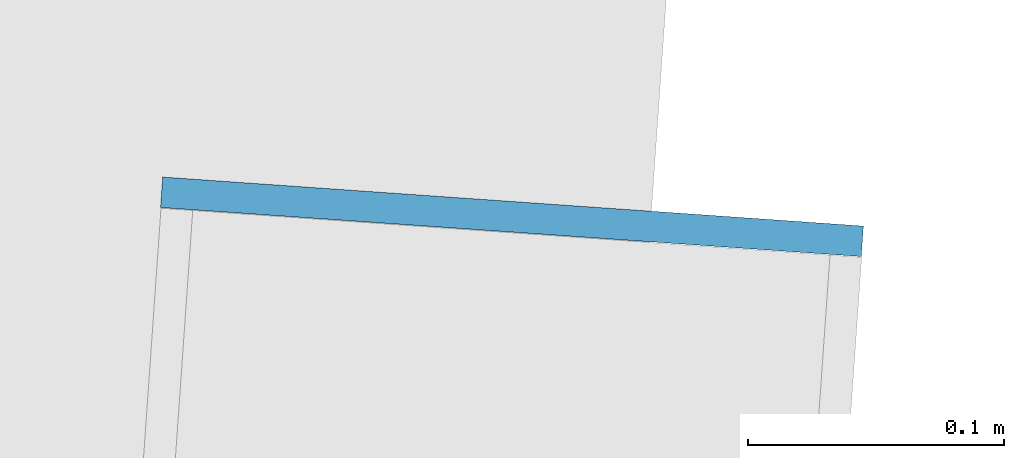
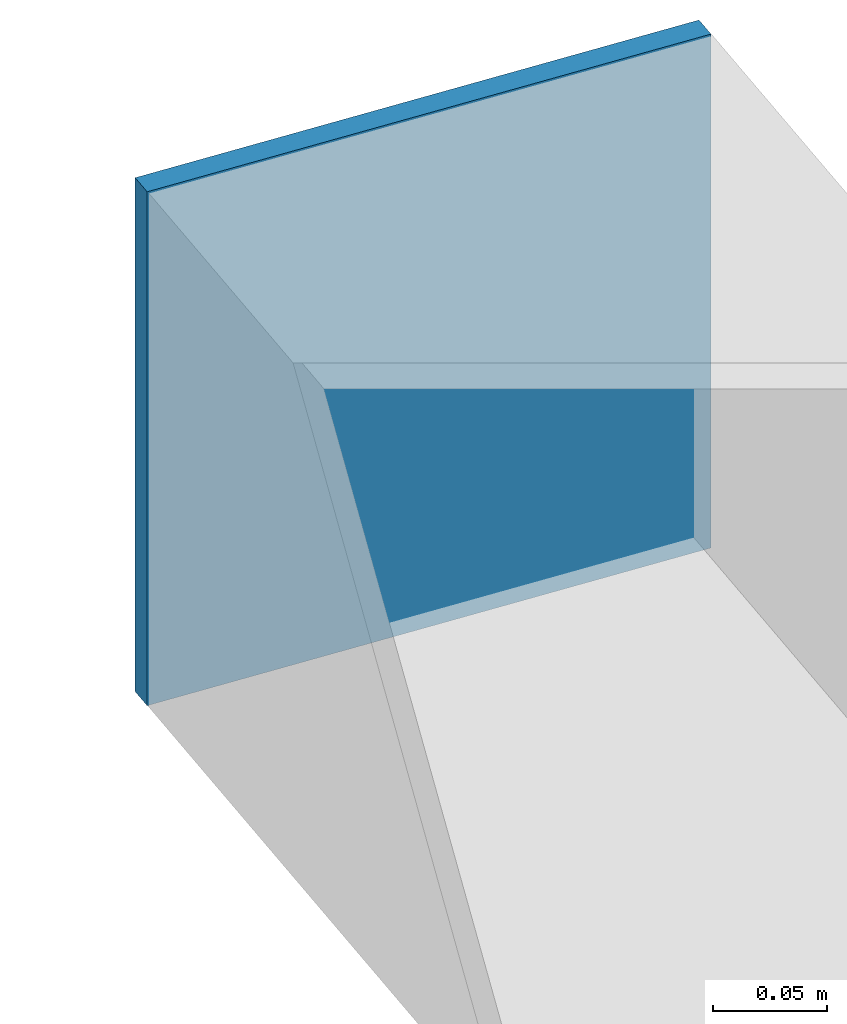
# One storey, part 34 of 39: 1 plate.
"""IFC4 building model written with IfcOpenShell, lengths in metres."""

from ifc_helpers import new_model, si_unit, direction, frame, origin, origin_2d, place, context, subcontext, project, spatial, rectangle, extrude, source, transform, mapped, material, layer, layer_set, type_object, element, save


model = new_model("IFC4")

# Units and contexts
model_context = context("Model", 3, precision=1e-05, world=origin(), true_north=direction((0.0, 1.0)))
body_context = subcontext(model_context, "Body", "Model", "MODEL_VIEW")
ifc_project = project(units=[si_unit("LENGTHUNIT", "METRE"), si_unit("AREAUNIT", "SQUARE_METRE"), si_unit("VOLUMEUNIT", "CUBIC_METRE"), si_unit("PLANEANGLEUNIT", "RADIAN"), si_unit("MASSUNIT", "GRAM", prefix="KILO")], contexts=[model_context])

# Site, building, storey
site_placement = place(None, origin())
site = spatial("IfcSite", under=ifc_project, at=site_placement, CompositionType="ELEMENT")
building_placement = place(site_placement, origin())
building = spatial("IfcBuilding", under=site, at=building_placement, Name="Taldren Reach Tower", CompositionType="ELEMENT")
storey_placement = place(building_placement, frame((0.0, 0.0, 148.75)))
storey = spatial("IfcBuildingStorey", under=building, at=storey_placement, Name="L45", CompositionType="ELEMENT", Elevation=148.75)

# Plate
ifc_material = material(Name="Steel Gr 450 (C450L0)", Category="steel")
ifc_layer = layer(ifc_material, 0.011962890625)
ifc_layer_set = layer_set([ifc_layer], Name="Steel Gr 450 (C450L0)")
plate_type = type_object("IfcPlateType", Name="PL-CAP-275", PredefinedType="SHEET", material=ifc_layer_set)
shared_shape = source(origin(), body_context, "Body", "SweptSolid", [
    extrude(rectangle(XDim=0.27490234375, YDim=0.011962890625, at=origin_2d()), origin(), (0.0, 0.0, 1.0), 0.27490234375),
])
plate_placement = place(storey_placement, frame((58.544921875, 36.413818359375, 2.512451171875), z_axis=(0.0, 0.0, 1.0), x_axis=(0.99756405026, -0.069756473744, 0.0)))
element("IfcPlate", 1, at=plate_placement, inside=storey, type_object=plate_type, Name="Tie strut end cap plate B3-N6 L45", PredefinedType="SHEET", context=body_context, shape_type="MappedRepresentation", body=[
    mapped(shared_shape, transform((0.0, 0.0, 0.0), scale=1.0)),
])

save(model, "model.ifc")
